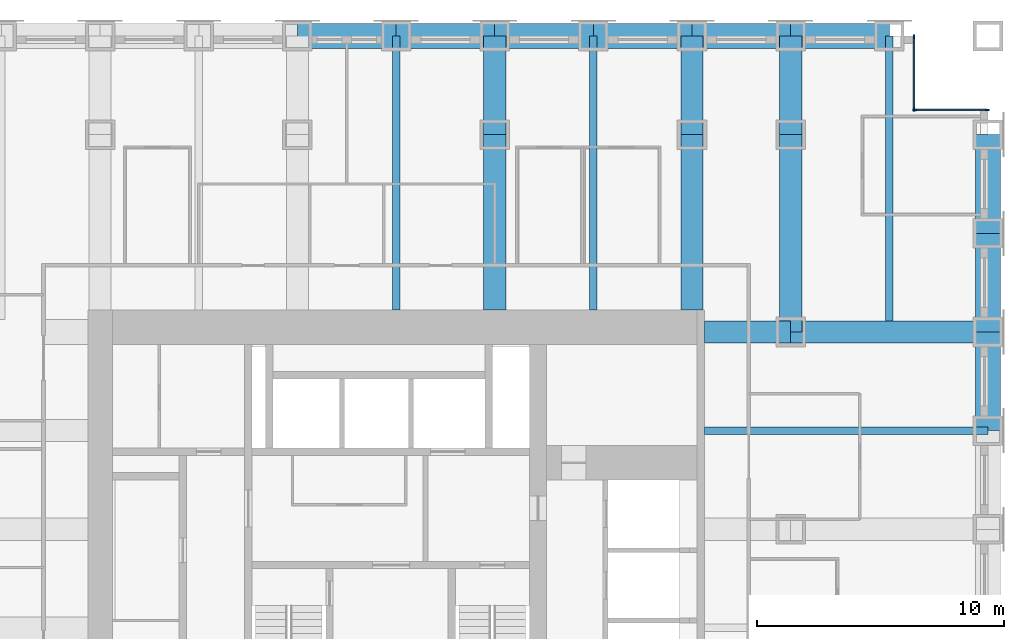
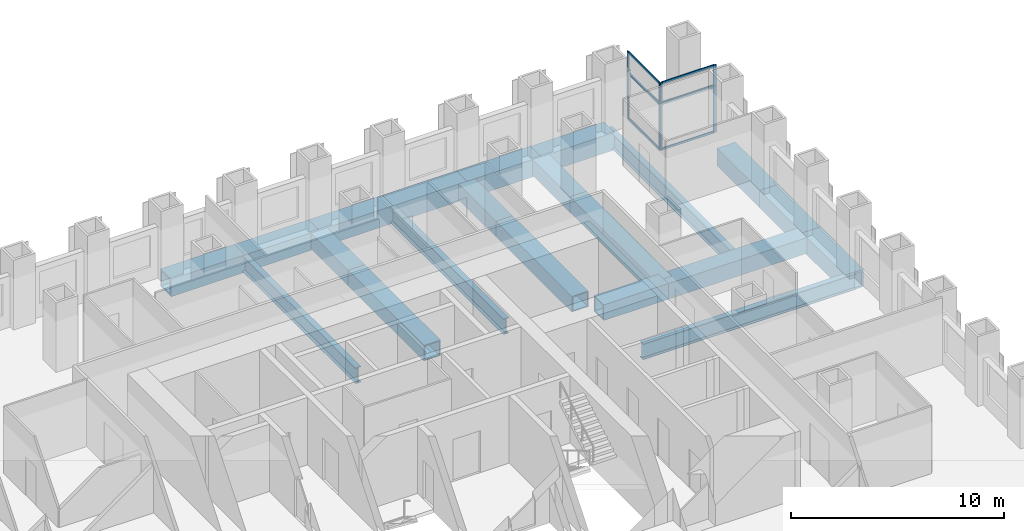
# One storey, part 6 of 15: 21 beams, 16 members, 4 elements without a shape of their own.
"""IFC4 building model written with IfcOpenShell, lengths in metres."""

from ifc_helpers import new_model, si_unit, direction, frame, origin, origin_2d, place, context, subcontext, project, spatial, rectangle, hollow_rectangle, i_section, extrude, material, material_profile, profile_set, type_object, element, aggregate, save


model = new_model("IFC4")

# Units and contexts
model_context = context("Model", 3, precision=1e-05, world=origin(), true_north=direction((0.0, 1.0)))
body_context = subcontext(model_context, "Body", "Model", "MODEL_VIEW")
ifc_project = project(units=[si_unit("LENGTHUNIT", "METRE"), si_unit("AREAUNIT", "SQUARE_METRE"), si_unit("VOLUMEUNIT", "CUBIC_METRE"), si_unit("PLANEANGLEUNIT", "RADIAN"), si_unit("MASSUNIT", "GRAM", prefix="KILO")], contexts=[model_context])

# Site, building, storey
site_placement = place(None, origin())
site = spatial("IfcSite", under=ifc_project, at=site_placement, CompositionType="ELEMENT")
building_placement = place(site_placement, origin())
building = spatial("IfcBuilding", under=site, at=building_placement, Name="Rimbunsela Tower", CompositionType="ELEMENT")
storey_placement = place(building_placement, frame((0.0, 0.0, 67.0)))
storey = spatial("IfcBuildingStorey", under=building, at=storey_placement, Name="L16", CompositionType="ELEMENT", Elevation=67.0)

# Beams
ifc_material_1 = material(Name="Steel BJ 55 (fy 410 MPa)", Category="steel")
ifc_material_profile_1 = material_profile(ifc_material_1, hollow_rectangle(XDim=1.0, YDim=1.0, WallThickness=0.10009765625, at=origin_2d()), Name="BOX 1000x1000x100")
ifc_profile_set_1 = profile_set([ifc_material_profile_1], Name="Steel BJ 55 (fy 410 MPa)")
beam_type_1 = type_object("IfcBeamType", Name="Beam BOX 1000x1000x100", PredefinedType="BEAM", material=ifc_profile_set_1)
for number, where, z_axis, x_axis, name in (
    (1, (26.0, 48.0, -0.64990234375), (1.0, 0.0, 0.0), (0.0, 1.0, 0.0), "Beam B3 L16"),
    (2, (30.0, 48.0, -0.64990234375), (1.0, 0.0, 0.0), (0.0, 1.0, 0.0), "Beam B3 L16"),
    (3, (34.0, 48.0, -0.64990234375), (1.0, 0.0, 0.0), (0.0, 1.0, 0.0), "Beam B3 L16"),
    (4, (38.0, 48.0, -0.64990234375), (1.0, 0.0, 0.0), (0.0, 1.0, 0.0), "Beam B3 L16"),
    (5, (42.0, 48.0, -0.64990234375), (1.0, 0.0, 0.0), (0.0, 1.0, 0.0), "Beam B3 L16"),
    (6, (46.0, 48.0, -0.64990234375), (1.0, 0.0, 0.0), (0.0, 1.0, 0.0), "Beam B3 L16"),
    (7, (54.0, 32.0, -0.64990234375), (0.0, 1.0, 0.0), (-1.0, 0.0, 0.0), "Beam B3 L16"),
    (8, (54.0, 36.0, -0.64990234375), (0.0, 1.0, 0.0), (-1.0, 0.0, 0.0), "Beam B3 L16"),
    (9, (54.0, 40.0, -0.64990234375), (0.0, 1.0, 0.0), (-1.0, 0.0, 0.0), "Beam B3 L16"),
):
    element("IfcBeam", number, at=place(storey_placement, frame(where, z_axis=z_axis, x_axis=x_axis)), inside=storey, type_object=beam_type_1, Name=name, PredefinedType="BEAM", context=body_context, shape_type="SweptSolid", body=[
        extrude(hollow_rectangle(XDim=1.0, YDim=1.0, WallThickness=0.10009765625, at=origin_2d()), origin(), (0.0, 0.0, 1.0), 4.0),
    ])
ifc_material_2 = material(Name="Steel BJ 55 (fy 410 MPa)", Category="steel")
ifc_material_profile_2 = material_profile(ifc_material_2, hollow_rectangle(XDim=0.89990234375, YDim=0.89990234375, WallThickness=0.06005859375, at=origin_2d()), Name="BOX 900x900x60")
ifc_profile_set_2 = profile_set([ifc_material_profile_2], Name="Steel BJ 55 (fy 410 MPa)")
beam_type_2 = type_object("IfcBeamType", Name="Beam BOX 900x900x60", PredefinedType="BEAM", material=ifc_profile_set_2)
beam_1_placement = place(storey_placement, frame((34.0, 36.89990234375, -0.60009765625), z_axis=(0.0, 1.0, 0.0), x_axis=(-1.0, 0.0, 0.0)))
element("IfcBeam", 10, at=beam_1_placement, inside=storey, type_object=beam_type_2, Name="Beam B1 L16", PredefinedType="BEAM", context=body_context, shape_type="SweptSolid", body=[
    extrude(hollow_rectangle(XDim=0.89990234375, YDim=0.89990234375, WallThickness=0.06005859375, at=origin_2d()), origin(), (0.0, 0.0, 1.0), 7.10009765625),
])
beam_2_placement = place(storey_placement, frame((34.0, 44.0, -0.60009765625), z_axis=(0.0, 1.0, 0.0), x_axis=(-1.0, 0.0, 0.0)))
element("IfcBeam", 11, at=beam_2_placement, inside=storey, type_object=beam_type_2, Name="Beam B1 L16", PredefinedType="BEAM", context=body_context, shape_type="SweptSolid", body=[
    extrude(hollow_rectangle(XDim=0.89990234375, YDim=0.89990234375, WallThickness=0.06005859375, at=origin_2d()), origin(), (0.0, 0.0, 1.0), 4.0),
])
beam_3_placement = place(storey_placement, frame((42.0, 36.89990234375, -0.60009765625), z_axis=(0.0, 1.0, 0.0), x_axis=(-1.0, 0.0, 0.0)))
element("IfcBeam", 12, at=beam_3_placement, inside=storey, type_object=beam_type_2, Name="Beam B1 L16", PredefinedType="BEAM", context=body_context, shape_type="SweptSolid", body=[
    extrude(hollow_rectangle(XDim=0.89990234375, YDim=0.89990234375, WallThickness=0.06005859375, at=origin_2d()), origin(), (0.0, 0.0, 1.0), 7.10009765625),
])
beam_4_placement = place(storey_placement, frame((42.0, 44.0, -0.60009765625), z_axis=(0.0, 1.0, 0.0), x_axis=(-1.0, 0.0, 0.0)))
element("IfcBeam", 13, at=beam_4_placement, inside=storey, type_object=beam_type_2, Name="Beam B1 L16", PredefinedType="BEAM", context=body_context, shape_type="SweptSolid", body=[
    extrude(hollow_rectangle(XDim=0.89990234375, YDim=0.89990234375, WallThickness=0.06005859375, at=origin_2d()), origin(), (0.0, 0.0, 1.0), 4.0),
])
beam_5_placement = place(storey_placement, frame((42.5, 36.0, -0.60009765625), z_axis=(1.0, 0.0, 0.0), x_axis=(0.0, 1.0, 0.0)))
element("IfcBeam", 14, at=beam_5_placement, inside=storey, type_object=beam_type_2, Name="Beam B1 L16", PredefinedType="BEAM", context=body_context, shape_type="SweptSolid", body=[
    extrude(hollow_rectangle(XDim=0.89990234375, YDim=0.89990234375, WallThickness=0.06005859375, at=origin_2d()), origin(), (0.0, 0.0, 1.0), 3.5),
])
for number, where, z_axis, x_axis, name in (
    (15, (46.0, 36.0, -0.60009765625), (0.0, 1.0, 0.0), (-1.0, 0.0, 0.0), "Beam B1 L16"),
    (16, (46.0, 36.0, -0.60009765625), (1.0, 0.0, 0.0), (0.0, 1.0, 0.0), "Beam B1 L16"),
):
    element("IfcBeam", number, at=place(storey_placement, frame(where, z_axis=z_axis, x_axis=x_axis)), inside=storey, type_object=beam_type_2, Name=name, PredefinedType="BEAM", context=body_context, shape_type="SweptSolid", body=[
        extrude(hollow_rectangle(XDim=0.89990234375, YDim=0.89990234375, WallThickness=0.06005859375, at=origin_2d()), origin(), (0.0, 0.0, 1.0), 8.0),
    ])
beam_6_placement = place(storey_placement, frame((46.0, 44.0, -0.60009765625), z_axis=(0.0, 1.0, 0.0), x_axis=(-1.0, 0.0, 0.0)))
element("IfcBeam", 17, at=beam_6_placement, inside=storey, type_object=beam_type_2, Name="Beam B1 L16", PredefinedType="BEAM", context=body_context, shape_type="SweptSolid", body=[
    extrude(hollow_rectangle(XDim=0.89990234375, YDim=0.89990234375, WallThickness=0.06005859375, at=origin_2d()), origin(), (0.0, 0.0, 1.0), 4.0),
])
ifc_material_3 = material(Name="Steel BJ 55 (fy 410 MPa)", Category="steel")
ifc_material_profile_3 = material_profile(ifc_material_3, i_section(OverallWidth=0.300048828125, OverallDepth=0.89990234375, WebThickness=0.01611328125, FlangeThickness=0.028076171875, FilletRadius=0.028076171875, at=origin_2d()), Name="H 900x300x16x28")
ifc_profile_set_3 = profile_set([ifc_material_profile_3], Name="Steel BJ 55 (fy 410 MPa)")
beam_type_3 = type_object("IfcBeamType", Name="Beam H 900x300x16x28", PredefinedType="BEAM", material=ifc_profile_set_3)
for number, where, z_axis, x_axis, name in (
    (18, (30.0, 36.89990234375, -0.60009765625), (0.0, 1.0, 0.0), (-1.0, 0.0, 0.0), "Beam B2 L16"),
    (19, (38.0, 36.89990234375, -0.60009765625), (0.0, 1.0, 0.0), (-1.0, 0.0, 0.0), "Beam B2 L16"),
):
    element("IfcBeam", number, at=place(storey_placement, frame(where, z_axis=z_axis, x_axis=x_axis)), inside=storey, type_object=beam_type_3, Name=name, PredefinedType="BEAM", context=body_context, shape_type="SweptSolid", body=[
        extrude(i_section(OverallWidth=0.300048828125, OverallDepth=0.89990234375, WebThickness=0.01611328125, FlangeThickness=0.028076171875, FilletRadius=0.028076171875, at=origin_2d()), origin(), (0.0, 0.0, 1.0), 11.10009765625),
    ])
beam_7_placement = place(storey_placement, frame((42.5, 32.0, -0.60009765625), z_axis=(1.0, 0.0, 0.0), x_axis=(0.0, 1.0, 0.0)))
element("IfcBeam", 20, at=beam_7_placement, inside=storey, type_object=beam_type_3, Name="Beam B2 L16", PredefinedType="BEAM", context=body_context, shape_type="SweptSolid", body=[
    extrude(i_section(OverallWidth=0.300048828125, OverallDepth=0.89990234375, WebThickness=0.01611328125, FlangeThickness=0.028076171875, FilletRadius=0.028076171875, at=origin_2d()), origin(), (0.0, 0.0, 1.0), 11.5),
])
beam_8_placement = place(storey_placement, frame((50.0, 36.449951171875, -0.60009765625), z_axis=(0.0, 1.0, 0.0), x_axis=(-1.0, 0.0, 0.0)))
element("IfcBeam", 21, at=beam_8_placement, inside=storey, type_object=beam_type_3, Name="Beam B2 L16", PredefinedType="BEAM", context=body_context, shape_type="SweptSolid", body=[
    extrude(i_section(OverallWidth=0.300048828125, OverallDepth=0.89990234375, WebThickness=0.01611328125, FlangeThickness=0.028076171875, FilletRadius=0.028076171875, at=origin_2d()), origin(), (0.0, 0.0, 1.0), 11.550048828125),
])

# Curtain wall, members
ifc_material_4 = material(Name="Aluminium curtain wall", Category="aluminium")
curtain_wall_type_1 = type_object("IfcCurtainWallType", Name="Corner glazing", PredefinedType="USERDEFINED", material=ifc_material_4)
curtain_wall_1_placement = place(storey_placement, origin())
curtain_wall_1 = element("IfcCurtainWall", 22, at=curtain_wall_1_placement, inside=storey, type_object=curtain_wall_type_1, Name="Corner glazing L16", ObjectType="CORNER GLAZING", PredefinedType="USERDEFINED")
ifc_material_5 = material(Name="Aluminium mullion", Category="aluminium")
ifc_material_profile_4 = material_profile(ifc_material_5, rectangle(XDim=0.06005859375, YDim=0.159912109375, at=origin_2d()), Name="Mullion 60x160")
ifc_profile_set_4 = profile_set([ifc_material_profile_4], Name="Aluminium mullion")
member_type_1 = type_object("IfcMemberType", Name="Curtain wall mullion 60x160", PredefinedType="MULLION", material=ifc_profile_set_4)
member_1_placement = place(storey_placement, frame((53.969970703125, 45.0, 0.0), z_axis=(0.0, 0.0, 1.0), x_axis=(0.0, -1.0, 0.0)))
member_1 = element("IfcMember", 23, at=member_1_placement, type_object=member_type_1, Name="CW5 mullion 1", PredefinedType="MULLION", context=body_context, shape_type="SweptSolid", body=[
    extrude(rectangle(XDim=0.06005859375, YDim=0.159912109375, at=origin_2d()), origin(), (0.0, 0.0, 1.0), 2.64990234375),
])
member_2_placement = place(storey_placement, frame((51.030029296875, 45.0, 0.0), z_axis=(0.0, 0.0, 1.0), x_axis=(0.0, -1.0, 0.0)))
member_2 = element("IfcMember", 24, at=member_2_placement, type_object=member_type_1, Name="CW5 mullion 2", PredefinedType="MULLION", context=body_context, shape_type="SweptSolid", body=[
    extrude(rectangle(XDim=0.06005859375, YDim=0.159912109375, at=origin_2d()), origin(), (0.0, 0.0, 1.0), 2.64990234375),
])

ifc_material_6 = material(Name="Aluminium curtain wall", Category="aluminium")
curtain_wall_type_2 = type_object("IfcCurtainWallType", Name="Spandrel wall", PredefinedType="USERDEFINED", material=ifc_material_6)
curtain_wall_2_placement = place(storey_placement, origin())
curtain_wall_2 = element("IfcCurtainWall", 25, at=curtain_wall_2_placement, inside=storey, type_object=curtain_wall_type_2, Name="Spandrel wall L16", ObjectType="SPANDREL WALL", PredefinedType="USERDEFINED")
member_3_placement = place(storey_placement, frame((53.969970703125, 45.0, 2.64990234375), z_axis=(0.0, 0.0, 1.0), x_axis=(0.0, -1.0, 0.0)))
member_3 = element("IfcMember", 26, at=member_3_placement, type_object=member_type_1, Name="CW7 mullion 1", PredefinedType="MULLION", context=body_context, shape_type="SweptSolid", body=[
    extrude(rectangle(XDim=0.06005859375, YDim=0.159912109375, at=origin_2d()), origin(), (0.0, 0.0, 1.0), 1.2001953125),
])
member_4_placement = place(storey_placement, frame((51.030029296875, 45.0, 2.64990234375), z_axis=(0.0, 0.0, 1.0), x_axis=(0.0, -1.0, 0.0)))
member_4 = element("IfcMember", 27, at=member_4_placement, type_object=member_type_1, Name="CW7 mullion 2", PredefinedType="MULLION", context=body_context, shape_type="SweptSolid", body=[
    extrude(rectangle(XDim=0.06005859375, YDim=0.159912109375, at=origin_2d()), origin(), (0.0, 0.0, 1.0), 1.2001953125),
])

curtain_wall_3_placement = place(storey_placement, origin())
curtain_wall_3 = element("IfcCurtainWall", 28, at=curtain_wall_3_placement, inside=storey, type_object=curtain_wall_type_1, Name="Corner glazing L16", ObjectType="CORNER GLAZING", PredefinedType="USERDEFINED")
member_5_placement = place(storey_placement, frame((51.0, 45.030029296875, 0.0), z_axis=(0.0, 0.0, 1.0), x_axis=(-1.0, 0.0, 0.0)))
member_5 = element("IfcMember", 29, at=member_5_placement, type_object=member_type_1, Name="CW5 mullion 1", PredefinedType="MULLION", context=body_context, shape_type="SweptSolid", body=[
    extrude(rectangle(XDim=0.06005859375, YDim=0.159912109375, at=origin_2d()), origin(), (0.0, 0.0, 1.0), 2.64990234375),
])
member_6_placement = place(storey_placement, frame((51.0, 47.969970703125, 0.0), z_axis=(0.0, 0.0, 1.0), x_axis=(-1.0, 0.0, 0.0)))
member_6 = element("IfcMember", 30, at=member_6_placement, type_object=member_type_1, Name="CW5 mullion 2", PredefinedType="MULLION", context=body_context, shape_type="SweptSolid", body=[
    extrude(rectangle(XDim=0.06005859375, YDim=0.159912109375, at=origin_2d()), origin(), (0.0, 0.0, 1.0), 2.64990234375),
])

curtain_wall_4_placement = place(storey_placement, origin())
curtain_wall_4 = element("IfcCurtainWall", 31, at=curtain_wall_4_placement, inside=storey, type_object=curtain_wall_type_2, Name="Spandrel wall L16", ObjectType="SPANDREL WALL", PredefinedType="USERDEFINED")
member_7_placement = place(storey_placement, frame((51.0, 45.030029296875, 2.64990234375), z_axis=(0.0, 0.0, 1.0), x_axis=(-1.0, 0.0, 0.0)))
member_7 = element("IfcMember", 32, at=member_7_placement, type_object=member_type_1, Name="CW7 mullion 1", PredefinedType="MULLION", context=body_context, shape_type="SweptSolid", body=[
    extrude(rectangle(XDim=0.06005859375, YDim=0.159912109375, at=origin_2d()), origin(), (0.0, 0.0, 1.0), 1.2001953125),
])
member_8_placement = place(storey_placement, frame((51.0, 47.969970703125, 2.64990234375), z_axis=(0.0, 0.0, 1.0), x_axis=(-1.0, 0.0, 0.0)))
member_8 = element("IfcMember", 33, at=member_8_placement, type_object=member_type_1, Name="CW7 mullion 2", PredefinedType="MULLION", context=body_context, shape_type="SweptSolid", body=[
    extrude(rectangle(XDim=0.06005859375, YDim=0.159912109375, at=origin_2d()), origin(), (0.0, 0.0, 1.0), 1.2001953125),
])

# Member
ifc_material_7 = material(Name="Aluminium transom", Category="aluminium")
ifc_material_profile_5 = material_profile(ifc_material_7, rectangle(XDim=0.06005859375, YDim=0.1201171875, at=origin_2d()), Name="Transom 60x120")
ifc_profile_set_5 = profile_set([ifc_material_profile_5], Name="Aluminium transom")
member_type_2 = type_object("IfcMemberType", Name="Curtain wall transom 60x120", PredefinedType="USERDEFINED", material=ifc_profile_set_5)
member_9_placement = place(storey_placement, frame((53.93994140625, 45.0, 0.030029296875), z_axis=(-1.0, 0.0, 0.0), x_axis=(0.0, -1.0, 0.0)))
member_9 = element("IfcMember", 34, at=member_9_placement, type_object=member_type_2, Name="CW5 transom 1.1", ObjectType="TRANSOM", PredefinedType="USERDEFINED", context=body_context, shape_type="SweptSolid", body=[
    extrude(rectangle(XDim=0.06005859375, YDim=0.1201171875, at=origin_2d()), origin(), (0.0, 0.0, 1.0), 2.8798828125),
])

member_10_placement = place(storey_placement, frame((53.93994140625, 45.0, 2.6201171875), z_axis=(-1.0, 0.0, 0.0), x_axis=(0.0, -1.0, 0.0)))
member_10 = element("IfcMember", 35, at=member_10_placement, type_object=member_type_2, Name="CW5 transom 1.2", ObjectType="TRANSOM", PredefinedType="USERDEFINED", context=body_context, shape_type="SweptSolid", body=[
    extrude(rectangle(XDim=0.06005859375, YDim=0.1201171875, at=origin_2d()), origin(), (0.0, 0.0, 1.0), 2.8798828125),
])

aggregate(curtain_wall_1, [member_1, member_2, member_9, member_10])

member_11_placement = place(storey_placement, frame((53.93994140625, 45.0, 2.679931640625), z_axis=(-1.0, 0.0, 0.0), x_axis=(0.0, -1.0, 0.0)))
member_11 = element("IfcMember", 36, at=member_11_placement, type_object=member_type_2, Name="CW7 transom 1.1", ObjectType="TRANSOM", PredefinedType="USERDEFINED", context=body_context, shape_type="SweptSolid", body=[
    extrude(rectangle(XDim=0.06005859375, YDim=0.1201171875, at=origin_2d()), origin(), (0.0, 0.0, 1.0), 2.8798828125),
])

member_12_placement = place(storey_placement, frame((53.93994140625, 45.0, 3.820068359375), z_axis=(-1.0, 0.0, 0.0), x_axis=(0.0, -1.0, 0.0)))
member_12 = element("IfcMember", 37, at=member_12_placement, type_object=member_type_2, Name="CW7 transom 1.2", ObjectType="TRANSOM", PredefinedType="USERDEFINED", context=body_context, shape_type="SweptSolid", body=[
    extrude(rectangle(XDim=0.06005859375, YDim=0.1201171875, at=origin_2d()), origin(), (0.0, 0.0, 1.0), 2.8798828125),
])

aggregate(curtain_wall_2, [member_3, member_4, member_11, member_12])

member_13_placement = place(storey_placement, frame((51.0, 45.06005859375, 0.030029296875), z_axis=(0.0, 1.0, 0.0), x_axis=(-1.0, 0.0, 0.0)))
member_13 = element("IfcMember", 38, at=member_13_placement, type_object=member_type_2, Name="CW5 transom 1.1", ObjectType="TRANSOM", PredefinedType="USERDEFINED", context=body_context, shape_type="SweptSolid", body=[
    extrude(rectangle(XDim=0.06005859375, YDim=0.1201171875, at=origin_2d()), origin(), (0.0, 0.0, 1.0), 2.8798828125),
])

member_14_placement = place(storey_placement, frame((51.0, 45.06005859375, 2.6201171875), z_axis=(0.0, 1.0, 0.0), x_axis=(-1.0, 0.0, 0.0)))
member_14 = element("IfcMember", 39, at=member_14_placement, type_object=member_type_2, Name="CW5 transom 1.2", ObjectType="TRANSOM", PredefinedType="USERDEFINED", context=body_context, shape_type="SweptSolid", body=[
    extrude(rectangle(XDim=0.06005859375, YDim=0.1201171875, at=origin_2d()), origin(), (0.0, 0.0, 1.0), 2.8798828125),
])

aggregate(curtain_wall_3, [member_5, member_6, member_13, member_14])

member_15_placement = place(storey_placement, frame((51.0, 45.06005859375, 2.679931640625), z_axis=(0.0, 1.0, 0.0), x_axis=(-1.0, 0.0, 0.0)))
member_15 = element("IfcMember", 40, at=member_15_placement, type_object=member_type_2, Name="CW7 transom 1.1", ObjectType="TRANSOM", PredefinedType="USERDEFINED", context=body_context, shape_type="SweptSolid", body=[
    extrude(rectangle(XDim=0.06005859375, YDim=0.1201171875, at=origin_2d()), origin(), (0.0, 0.0, 1.0), 2.8798828125),
])

member_16_placement = place(storey_placement, frame((51.0, 45.06005859375, 3.820068359375), z_axis=(0.0, 1.0, 0.0), x_axis=(-1.0, 0.0, 0.0)))
member_16 = element("IfcMember", 41, at=member_16_placement, type_object=member_type_2, Name="CW7 transom 1.2", ObjectType="TRANSOM", PredefinedType="USERDEFINED", context=body_context, shape_type="SweptSolid", body=[
    extrude(rectangle(XDim=0.06005859375, YDim=0.1201171875, at=origin_2d()), origin(), (0.0, 0.0, 1.0), 2.8798828125),
])

aggregate(curtain_wall_4, [member_7, member_8, member_15, member_16])

save(model, "model.ifc")
